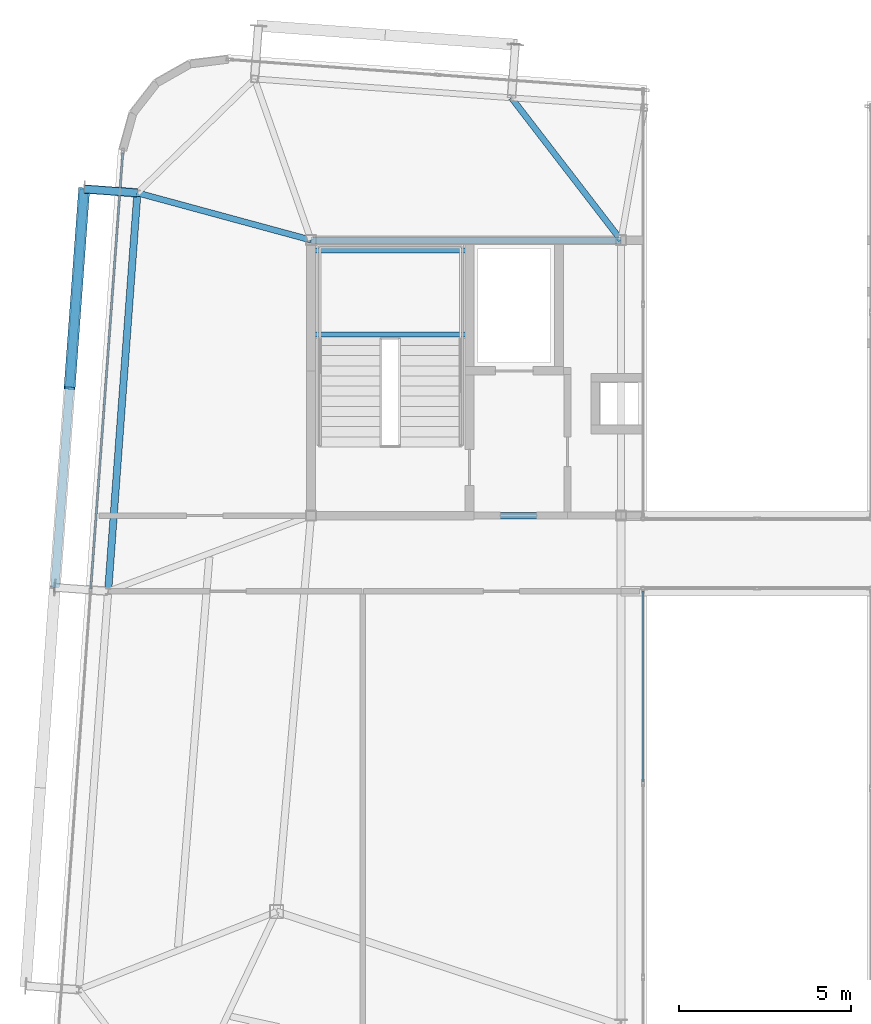
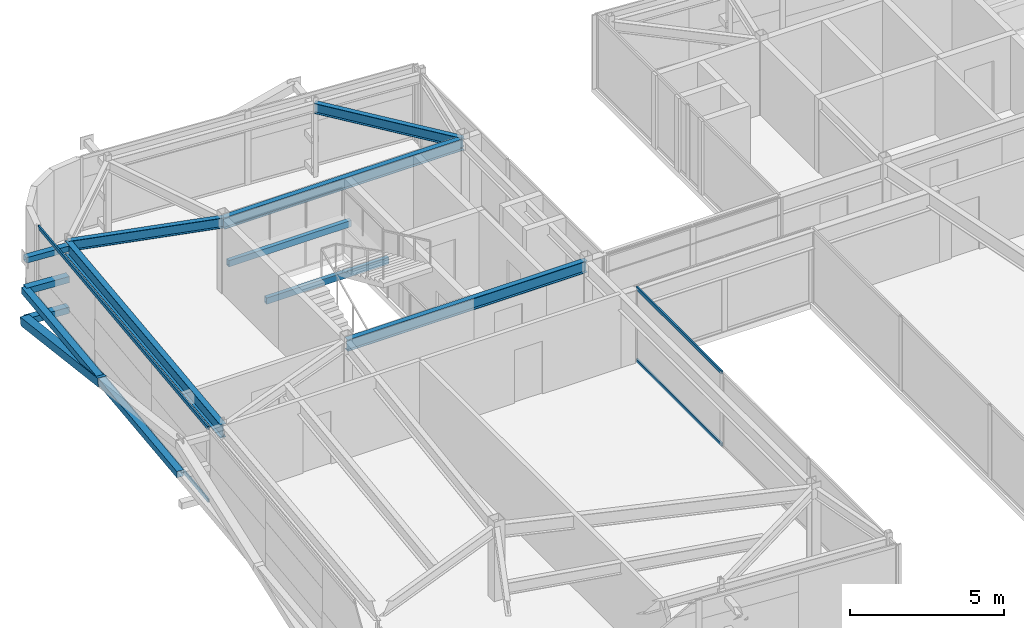
# One storey, part 16 of 39: 9 members, 7 beams, 2 elements without a shape of their own.
"""IFC4 building model written with IfcOpenShell, lengths in metres."""

import ifcopenshell
import ifcopenshell.guid

model = None  # the IFC model being written
_history = None  # IfcOwnerHistory: only IFC2X3 demands one
_inside = {}  # id of a spatial element -> (the spatial element, [elements in it])
_under = {}  # id of a project, library or spatial element -> (it, [spatial elements below it])
_declared = {}  # id of a project -> (the project, [libraries it declares])
_typed = {}  # id of a type object -> (the type object, [elements of that type])
_made_of = {}  # id of a material, layer set ... -> (it, [elements and type objects made of it])


def new_model(schema):
    """Start an empty IFC model of exactly this schema.

    Asked for "IFC4X3", IfcOpenShell would pick the latest addendum, in which some entities
    have other attributes; the version numbers below select the first issue.
    IFC2X3 requires an IfcOwnerHistory on every rooted entity: one is made here for all.
    """
    global model, _history
    if schema == "IFC4X3":
        model = ifcopenshell.file(schema_version=(4, 3, 0, 0))
    else:
        model = ifcopenshell.file(schema=schema)
    _inside.clear()
    _under.clear()
    _declared.clear()
    _typed.clear()
    _made_of.clear()
    _history = None
    if model.schema == "IFC2X3":
        org = make("IfcOrganization", Name="unknown")
        user = make(
            "IfcPersonAndOrganization",
            ThePerson=make("IfcPerson", FamilyName="unknown"),
            TheOrganization=org,
        )
        app = make(
            "IfcApplication",
            ApplicationDeveloper=org,
            Version="unknown",
            ApplicationFullName="unknown",
            ApplicationIdentifier="unknown",
        )
        _history = make(
            "IfcOwnerHistory",
            OwningUser=user,
            OwningApplication=app,
            ChangeAction="ADDED",
            CreationDate=0,
        )
    return model


def make(cls, **values):
    """One entity of the class cls with the attributes given. An attribute that is None is left unset."""
    return model.create_entity(
        cls, **{name: value for name, value in values.items() if value is not None}
    )


def rooted(cls, **values):
    """An entity with a GlobalId (a new one), such as an element, a storey or a relation."""
    return make(cls, GlobalId=ifcopenshell.guid.new(), OwnerHistory=_history, **values)


def si_unit(unit_type, name, prefix=None):
    """IfcSIUnit, for example si_unit("LENGTHUNIT", "METRE", prefix="MILLI")."""
    return make("IfcSIUnit", UnitType=unit_type, Prefix=prefix, Name=name)


def assignment(units):
    """IfcUnitAssignment: the units of a project."""
    return None if units is None else make("IfcUnitAssignment", Units=units)


def point(xyz):
    """IfcCartesianPoint."""
    return None if xyz is None else make("IfcCartesianPoint", Coordinates=xyz)


def direction(xyz):
    """IfcDirection."""
    return None if xyz is None else make("IfcDirection", DirectionRatios=xyz)


def frame(location, z_axis=None, x_axis=None):
    """IfcAxis2Placement3D, a coordinate frame: its origin and axes. An axis left out is left unset."""
    return make(
        "IfcAxis2Placement3D",
        Location=point(location),
        Axis=direction(z_axis),
        RefDirection=direction(x_axis),
    )


def frame_2d(location, x_axis=None):
    """IfcAxis2Placement2D, a coordinate frame in the plane: its origin and x axis."""
    return make(
        "IfcAxis2Placement2D", Location=point(location), RefDirection=direction(x_axis)
    )


def origin():
    """The frame at (0, 0, 0) with its axes left unset."""
    return frame((0.0, 0.0, 0.0))


def origin_2d():
    """The frame at (0, 0) in the plane with its x axis left unset."""
    return frame_2d((0.0, 0.0))


def place(relative_to, where):
    """IfcLocalPlacement: puts the frame where relative to a parent placement (None: the world)."""
    return make(
        "IfcLocalPlacement", PlacementRelTo=relative_to, RelativePlacement=where
    )


def context(
    kind, dimensions, precision=None, world=None, true_north=None, identifier=None
):
    """IfcGeometricRepresentationContext, for example the 3D "Model" context."""
    return make(
        "IfcGeometricRepresentationContext",
        ContextIdentifier=identifier,
        ContextType=kind,
        CoordinateSpaceDimension=dimensions,
        Precision=precision,
        WorldCoordinateSystem=world,
        TrueNorth=true_north,
    )


def subcontext(parent, identifier, kind, view, scale=None):
    """IfcGeometricRepresentationSubContext, for example "Body" below "Model"."""
    return make(
        "IfcGeometricRepresentationSubContext",
        ContextIdentifier=identifier,
        ContextType=kind,
        ParentContext=parent,
        TargetScale=scale,
        TargetView=view,
    )


def project(units=None, contexts=None):
    """IfcProject with its units and contexts."""
    return rooted(
        "IfcProject",
        Name="project",
        RepresentationContexts=contexts,
        UnitsInContext=assignment(units),
    )


def spatial(cls, under=None, at=None, **own):
    """A site, building, storey or space (cls), placed at a placement, below another one or the project."""
    s = rooted(cls, ObjectPlacement=at, **own)
    if under is not None:
        _under.setdefault(under.id(), (under, []))[1].append(s)
    return s


def profile(cls, at=None, kind="AREA", **sizes):
    """A parametric profile (cls). Its sizes go by their IFC names, for example OverallWidth=200.0."""
    return make(cls, ProfileType=kind, Position=at, **sizes)


def hollow_rectangle(**sizes):
    """IfcRectangleHollowProfileDef."""
    return profile("IfcRectangleHollowProfileDef", **sizes)


def i_section(**sizes):
    """IfcIShapeProfileDef."""
    return profile("IfcIShapeProfileDef", **sizes)


def extrude(swept, where, along, depth):
    """IfcExtrudedAreaSolid: the profile swept, set in the frame where, extruded along a direction by depth."""
    return make(
        "IfcExtrudedAreaSolid",
        SweptArea=swept,
        Position=where,
        ExtrudedDirection=direction(along),
        Depth=depth,
    )


def shape(context_of_items, identifier, shape_type, items):
    """IfcShapeRepresentation: the items that make up one representation, for example the "Body"."""
    return make(
        "IfcShapeRepresentation",
        ContextOfItems=context_of_items,
        RepresentationIdentifier=identifier,
        RepresentationType=shape_type,
        Items=items,
    )


def source(mapping_origin, context_of_items, identifier, shape_type, items):
    """IfcRepresentationMap: a shape defined once, which mapped items show again and again."""
    return make(
        "IfcRepresentationMap",
        MappingOrigin=mapping_origin,
        MappedRepresentation=shape(context_of_items, identifier, shape_type, items),
    )


def transform(
    local_origin,
    x_axis=None,
    y_axis=None,
    z_axis=None,
    scale=None,
    scale2=None,
    scale3=None,
    uniform=True,
):
    """IfcCartesianTransformationOperator3D, or its non-uniform kind. x_axis, y_axis, z_axis: its Axis1, 2, 3."""
    if uniform:
        return make(
            "IfcCartesianTransformationOperator3D",
            Axis1=direction(x_axis),
            Axis2=direction(y_axis),
            LocalOrigin=point(local_origin),
            Scale=scale,
            Axis3=direction(z_axis),
        )
    return make(
        "IfcCartesianTransformationOperator3DnonUniform",
        Axis1=direction(x_axis),
        Axis2=direction(y_axis),
        LocalOrigin=point(local_origin),
        Scale=scale,
        Axis3=direction(z_axis),
        Scale2=scale2,
        Scale3=scale3,
    )


def mapped(mapping_source, mapping_target):
    """IfcMappedItem: shows the shape of a source again, moved by a transform."""
    return make(
        "IfcMappedItem", MappingSource=mapping_source, MappingTarget=mapping_target
    )


def material(Name=None, Category=None):
    """IfcMaterial."""
    return make("IfcMaterial", Name=Name, Category=Category)


def layer(
    of_material, thickness, ventilated=None, Name=None, Category=None, Priority=None
):
    """IfcMaterialLayer: one layer of a wall or slab, of a material (None: an air gap)."""
    return make(
        "IfcMaterialLayer",
        Material=of_material,
        LayerThickness=thickness,
        IsVentilated=ventilated,
        Name=Name,
        Category=Category,
        Priority=Priority,
    )


def layer_set(layers, Name=None):
    """IfcMaterialLayerSet."""
    return make("IfcMaterialLayerSet", MaterialLayers=layers, LayerSetName=Name)


def material_profile(
    of_material, cross_section, Name=None, Category=None, Priority=None
):
    """IfcMaterialProfile: a cross section and its material."""
    return make(
        "IfcMaterialProfile",
        Name=Name,
        Material=of_material,
        Profile=cross_section,
        Priority=Priority,
        Category=Category,
    )


def profile_set(profiles, Name=None, composite=None):
    """IfcMaterialProfileSet."""
    return make(
        "IfcMaterialProfileSet",
        Name=Name,
        MaterialProfiles=profiles,
        CompositeProfile=composite,
    )


def made_of(thing, what):
    """Note that an element or type object is made of a material, layer set ...; save() writes the relation."""
    if what is not None:
        _made_of.setdefault(what.id(), (what, []))[1].append(thing)
    return thing


def type_object(cls, material=None, **own):
    """A type object (cls), such as IfcWallType, which elements share."""
    return made_of(rooted(cls, **own), material)


def element(
    cls,
    number,
    at=None,
    inside=None,
    cuts=None,
    type_object=None,
    material=None,
    context=None,
    identifier="Body",
    shape_type=None,
    held_by="IfcProductDefinitionShape",
    body=None,
    shapes=None,
    **own,
):
    """One element of the class cls, such as IfcWall. Its Tag is "e" and its number.

    at: its placement. inside: the storey or other place that contains it. cuts: it is an
    opening in that element (IfcRelVoidsElement). A single representation is given by context,
    identifier, shape_type and body (its items); several are given by shapes. held_by: the class
    of the entity that holds the representations. save() writes the other relations.
    """
    e = rooted(cls, Tag="e%d" % number, ObjectPlacement=at, **own)
    if body is not None:
        shapes = [shape(context, identifier, shape_type, body)]
    if shapes is not None:
        e.Representation = make(held_by, Representations=shapes)
    if inside is not None:
        _inside.setdefault(inside.id(), (inside, []))[1].append(e)
    if cuts is not None:
        rooted(
            "IfcRelVoidsElement", RelatingBuildingElement=cuts, RelatedOpeningElement=e
        )
    if type_object is not None:
        _typed.setdefault(type_object.id(), (type_object, []))[1].append(e)
    return made_of(e, material)


def aggregate(whole, parts):
    """IfcRelAggregates: a whole, such as a stair, and the parts it consists of."""
    return rooted("IfcRelAggregates", RelatingObject=whole, RelatedObjects=parts)


def save(model, path):
    """Write the relations noted so far, then the file.

    IfcRelAggregates (storeys below a building ...), IfcRelContainedInSpatialStructure (elements
    in a storey), IfcRelDefinesByType, IfcRelAssociatesMaterial and IfcRelDeclares: one each for
    every whole, place, type object, material and project.
    """
    for whole, parts in _under.values():
        aggregate(whole, parts)
    for where, things in _inside.values():
        rooted(
            "IfcRelContainedInSpatialStructure",
            RelatedElements=things,
            RelatingStructure=where,
        )
    for kind, things in _typed.values():
        rooted("IfcRelDefinesByType", RelatedObjects=things, RelatingType=kind)
    for what, things in _made_of.values():
        rooted("IfcRelAssociatesMaterial", RelatedObjects=things, RelatingMaterial=what)
    for by, libraries in _declared.values():
        rooted("IfcRelDeclares", RelatingContext=by, RelatedDefinitions=libraries)
    model.write(path)


model = new_model("IFC4")

# Units and contexts
model_context = context("Model", 3, precision=1e-05, world=origin(), true_north=direction((0.0, 1.0)))
body_context = subcontext(model_context, "Body", "Model", "MODEL_VIEW")
ifc_project = project(units=[si_unit("LENGTHUNIT", "METRE"), si_unit("AREAUNIT", "SQUARE_METRE"), si_unit("VOLUMEUNIT", "CUBIC_METRE"), si_unit("PLANEANGLEUNIT", "RADIAN"), si_unit("MASSUNIT", "GRAM", prefix="KILO")], contexts=[model_context])

# Site, building, storey
site_placement = place(None, origin())
site = spatial("IfcSite", under=ifc_project, at=site_placement, CompositionType="ELEMENT")
building_placement = place(site_placement, origin())
building = spatial("IfcBuilding", under=site, at=building_placement, Name="Taldren Reach Tower", CompositionType="ELEMENT")
storey_placement = place(building_placement, frame((0.0, 0.0, 230.300048828125)))
storey = spatial("IfcBuildingStorey", under=building, at=storey_placement, Name="L70", CompositionType="ELEMENT", Elevation=230.300048828125)

# Beams
ifc_material_1 = material(Name="Steel Gr 350 (350PLUS)", Category="steel")
ifc_material_profile_1 = material_profile(ifc_material_1, i_section(OverallWidth=0.19091796875, OverallDepth=0.4599609375, WebThickness=0.010009765625, FlangeThickness=0.01611328125, at=origin_2d()), Name="460UB82.1")
ifc_profile_set_1 = profile_set([ifc_material_profile_1], Name="Steel Gr 350 (350PLUS)")
beam_type_1 = type_object("IfcBeamType", Name="BM-UB460A", PredefinedType="BEAM", material=ifc_profile_set_1)
shared_shape_1 = source(origin(), body_context, "Body", "SweptSolid", [
    extrude(i_section(OverallWidth=0.19091796875, OverallDepth=0.4599609375, WebThickness=0.010009765625, FlangeThickness=0.01611328125, at=origin_2d()), origin(), (0.0, 0.0, 1.0), 9.0),
])
for number, where, z_axis, x_axis, name in (
    (1, (19.0, 24.0, 2.699951171875), (1.0, 0.0, 0.0), (0.0, 1.0, 0.0), "Core-spine girder L70-SP01"),
    (2, (19.0, 32.0, 2.699951171875), (1.0, 0.0, 0.0), (0.0, 1.0, 0.0), "Core-spine girder L70-SP04"),
):
    element("IfcBeam", number, at=place(storey_placement, frame(where, z_axis=z_axis, x_axis=x_axis)), inside=storey, type_object=beam_type_1, Name=name, PredefinedType="BEAM", context=body_context, shape_type="MappedRepresentation", body=[
        mapped(shared_shape_1, transform((0.0, 0.0, 0.0), scale=1.0)),
    ])
ifc_material_profile_2 = material_profile(ifc_material_1, i_section(OverallWidth=0.208984375, OverallDepth=0.528076171875, WebThickness=0.009521484375, FlangeThickness=0.01318359375, at=origin_2d()), Name="530UB82.0")
ifc_profile_set_2 = profile_set([ifc_material_profile_2], Name="Steel Gr 350 (350PLUS)")
beam_type_2 = type_object("IfcBeamType", Name="SP-UB530B", PredefinedType="SPANDREL", material=ifc_profile_set_2)
shared_shape_2 = source(origin(), body_context, "Body", "SweptSolid", [
    extrude(i_section(OverallWidth=0.208984375, OverallDepth=0.528076171875, WebThickness=0.009521484375, FlangeThickness=0.01318359375, at=origin_2d()), origin(), (0.0, 0.0, 1.0), 11.60009765625),
])
beam_1_placement = place(storey_placement, frame((13.958251953125, 33.369140625, 2.666015625), z_axis=(-0.073242167855, -0.997314185625, 0.0), x_axis=(0.997314185625, -0.073242167855, 0.0)))
element("IfcBeam", 3, at=beam_1_placement, inside=storey, type_object=beam_type_2, Name="Perimeter spandrel B5 W3-W2 L70", PredefinedType="SPANDREL", context=body_context, shape_type="MappedRepresentation", body=[
    mapped(shared_shape_2, transform((0.0, 0.0, 0.0), scale=1.0)),
])
ifc_material_profile_3 = material_profile(ifc_material_1, i_section(OverallWidth=0.177978515625, OverallDepth=0.406005859375, WebThickness=0.0078125, FlangeThickness=0.0126953125, at=origin_2d()), Name="410UB59.7")
ifc_profile_set_3 = profile_set([ifc_material_profile_3], Name="Steel Gr 350 (350PLUS)")
beam_type_3 = type_object("IfcBeamType", Name="BM-UB410", PredefinedType="BEAM", material=ifc_profile_set_3)
shared_shape_3 = source(origin(), body_context, "Body", "SweptSolid", [
    extrude(i_section(OverallWidth=0.177978515625, OverallDepth=0.406005859375, WebThickness=0.0078125, FlangeThickness=0.0126953125, at=origin_2d()), origin(), (0.0, 0.0, 1.0), 5.213623046875),
])
beam_2_placement = place(storey_placement, frame((28.0, 32.0, 2.72705078125), z_axis=(-0.61002980411, 0.792378468976, 0.0), x_axis=(-0.792378468976, -0.61002980411, 0.0)))
element("IfcBeam", 4, at=beam_2_placement, inside=storey, type_object=beam_type_3, Name="Primary floor girder B5-N2 L70", PredefinedType="BEAM", context=body_context, shape_type="MappedRepresentation", body=[
    mapped(shared_shape_3, transform((0.0, 0.0, 0.0), scale=1.0)),
])
shared_shape_4 = source(origin(), body_context, "Body", "SweptSolid", [
    extrude(i_section(OverallWidth=0.177978515625, OverallDepth=0.406005859375, WebThickness=0.0078125, FlangeThickness=0.0126953125, at=origin_2d()), origin(), (0.0, 0.0, 1.0), 5.224365234375),
])
beam_3_placement = place(storey_placement, frame((19.0, 32.0, 2.72705078125), z_axis=(-0.965049032336, 0.262069390022, 0.0), x_axis=(-0.262069390022, -0.965049032336, 0.0)))
element("IfcBeam", 5, at=beam_3_placement, inside=storey, type_object=beam_type_3, Name="Primary floor girder B5-W3 L70", PredefinedType="BEAM", context=body_context, shape_type="MappedRepresentation", body=[
    mapped(shared_shape_4, transform((0.0, 0.0, 0.0), scale=1.0)),
])

# Members
ifc_material_2 = material(Name="Steel Gr 450 (C450L0)", Category="steel")
ifc_material_profile_4 = material_profile(ifc_material_2, hollow_rectangle(XDim=0.219970703125, YDim=0.219970703125, WallThickness=0.00830078125, at=origin_2d()), Name="220x220x8.2SHS")
ifc_profile_set_4 = profile_set([ifc_material_profile_4], Name="Steel Gr 450 (C450L0)")
member_type_1 = type_object("IfcMemberType", Name="MB-TIE219", PredefinedType="STRUT", material=ifc_profile_set_4)
shared_shape_5 = source(origin(), body_context, "Body", "SweptSolid", [
    extrude(hollow_rectangle(XDim=0.219970703125, YDim=0.219970703125, WallThickness=0.00830078125, at=origin_2d()), origin(), (0.0, 0.0, 1.0), 1.5458984375),
])
member_1_placement = place(storey_placement, frame((13.9541015625, 33.369384765625, 2.64990234375), z_axis=(-0.997311530447, 0.073278313559, 0.0), x_axis=(-0.073278313559, -0.997311530447, 0.0)))
element("IfcMember", 6, at=member_1_placement, inside=storey, type_object=member_type_1, Name="Exoskeleton diaphragm tie strut B5-W3 L70", PredefinedType="STRUT", context=body_context, shape_type="MappedRepresentation", body=[
    mapped(shared_shape_5, transform((0.0, 0.0, 0.0), scale=1.0)),
])
ifc_material_profile_5 = material_profile(ifc_material_2, hollow_rectangle(XDim=0.324951171875, YDim=0.324951171875, WallThickness=0.0126953125, at=origin_2d()), Name="325x325x12.7SHS")
ifc_profile_set_5 = profile_set([ifc_material_profile_5], Name="Steel Gr 450 (C450L0)")
member_type_2 = type_object("IfcMemberType", Name="MB-BR324", PredefinedType="BRACE", material=ifc_profile_set_5)
shared_shape_6 = source(origin(), body_context, "Body", "SweptSolid", [
    extrude(hollow_rectangle(XDim=0.324951171875, YDim=0.324951171875, WallThickness=0.0126953125, at=origin_2d()), origin(), (0.0, 0.0, 1.0), 5.926025390625),
])
member_2_placement = place(storey_placement, frame((12.412353515625, 33.482666015625, 0.219970703125), z_axis=(-0.071685935393, -0.976123486939, 0.205046494513), x_axis=(0.997314185625, -0.073242167855, 0.0)))
element("IfcMember", 7, at=member_2_placement, inside=storey, type_object=member_type_2, Name="Exoskeleton Diagrid Brace B5-W2 L70", PredefinedType="BRACE", context=body_context, shape_type="MappedRepresentation", body=[
    mapped(shared_shape_6, transform((0.0, 0.0, 0.0), scale=1.0)),
])
ifc_material_3 = material(Name="Steel Gr 350 (C350L0)", Category="steel")
ifc_material_profile_6 = material_profile(ifc_material_3, hollow_rectangle(XDim=0.25, YDim=0.25, WallThickness=0.010009765625, at=origin_2d()), Name="250x250x10.0SHS")
ifc_profile_set_6 = profile_set([ifc_material_profile_6], Name="Steel Gr 350 (C350L0)")
member_type_3 = type_object("IfcMemberType", Name="MB-POST250", PredefinedType="POST", material=ifc_profile_set_6)
shared_shape_7 = source(origin(), body_context, "Body", "SweptSolid", [
    extrude(hollow_rectangle(XDim=0.25, YDim=0.25, WallThickness=0.010009765625, at=origin_2d()), origin(), (0.0, 0.0, 1.0), 11.60009765625),
])
member_3_placement = place(storey_placement, frame((11.562744140625, 21.913818359375, 1.43505859375), z_axis=(0.073242167855, 0.997314185625, 0.0), x_axis=(-0.997314185625, 0.073242167855, 0.0)))
element("IfcMember", 8, at=member_3_placement, inside=storey, type_object=member_type_3, Name="Exoskeleton mid-height ring chord B5-W2 L70", PredefinedType="POST", context=body_context, shape_type="MappedRepresentation", body=[
    mapped(shared_shape_7, transform((0.0, 0.0, 0.0), scale=1.0)),
])
shared_shape_8 = source(origin(), body_context, "Body", "SweptSolid", [
    extrude(hollow_rectangle(XDim=0.25, YDim=0.25, WallThickness=0.010009765625, at=origin_2d()), origin(), (0.0, 0.0, 1.0), 1.5458984375),
])
for number, where, z_axis, x_axis, name in (
    (9, (13.9541015625, 33.369384765625, 0.219970703125), (-0.997311530447, 0.073278313559, 0.0), (-0.073278313559, -0.997311530447, 0.0), "Exoskeleton base diaphragm tie strut B5-W3 L70"),
    (10, (13.9541015625, 33.369384765625, 1.43505859375), (-0.997311530447, 0.073278313559, 0.0), (-0.073278313559, -0.997311530447, 0.0), "Exoskeleton mid-tier diaphragm tie B5-W3 L70"),
):
    element("IfcMember", number, at=place(storey_placement, frame(where, z_axis=z_axis, x_axis=x_axis)), inside=storey, type_object=member_type_3, Name=name, PredefinedType="POST", context=body_context, shape_type="MappedRepresentation", body=[
        mapped(shared_shape_8, transform((0.0, 0.0, 0.0), scale=1.0)),
    ])

# Curtain wall, members
ifc_material_4 = material(Name="Aluminium and Low-E Glass Unitised System", Category="aluminium")
ifc_layer = layer(ifc_material_4, 0.159912109375)
ifc_layer_set = layer_set([ifc_layer], Name="Aluminium and Low-E Glass Unitised System")
curtain_wall_type = type_object("IfcCurtainWallType", Name="CW-SYS-7", PredefinedType="NOTDEFINED", material=ifc_layer_set)
curtain_wall_1_placement = place(storey_placement, origin())
curtain_wall_1 = element("IfcCurtainWall", 11, at=curtain_wall_1_placement, inside=storey, type_object=curtain_wall_type, Name="Unitised curtain wall CW-L70-W", PredefinedType="NOTDEFINED")
ifc_material_5 = material(Name="Anodised Aluminium 6063-T6", Category="aluminium")
ifc_material_profile_7 = material_profile(ifc_material_5, hollow_rectangle(XDim=0.06005859375, YDim=0.135009765625, WallThickness=0.00341796875, at=origin_2d()), Name="ALU-135x60x3.5RHS")
ifc_profile_set_7 = profile_set([ifc_material_profile_7], Name="Anodised Aluminium 6063-T6")
member_type_4 = type_object("IfcMemberType", Name="CW-TRN-150", PredefinedType="USERDEFINED", material=ifc_profile_set_7)
shared_shape_9 = source(origin(), body_context, "Body", "SweptSolid", [
    extrude(hollow_rectangle(XDim=0.06005859375, YDim=0.135009765625, WallThickness=0.00341796875, at=origin_2d()), origin(), (0.0, 0.0, 1.0), 12.6875),
])
member_4_placement = place(storey_placement, frame((13.531982421875, 34.5283203125, 0.030029296875), z_axis=(-0.073237997916, -0.997314491854, 0.0), x_axis=(0.997314491854, -0.073237997916, 0.0)))
member_4 = element("IfcMember", 12, at=member_4_placement, type_object=member_type_4, Name="CW-7 transom 1.1", ObjectType="TRANSOM", PredefinedType="USERDEFINED", context=body_context, shape_type="MappedRepresentation", body=[
    mapped(shared_shape_9, transform((0.0, 0.0, 0.0), scale=1.0)),
])
member_5_placement = place(storey_placement, frame((13.531982421875, 34.5283203125, 2.89990234375), z_axis=(-0.073237997916, -0.997314491854, 0.0), x_axis=(0.997314491854, -0.073237997916, 0.0)))
member_5 = element("IfcMember", 13, at=member_5_placement, type_object=member_type_4, Name="CW-7 transom 1.2", ObjectType="TRANSOM", PredefinedType="USERDEFINED", context=body_context, shape_type="MappedRepresentation", body=[
    mapped(shared_shape_9, transform((0.0, 0.0, 0.0), scale=1.0)),
])
aggregate(curtain_wall_1, [member_4, member_5])

curtain_wall_2_placement = place(storey_placement, origin())
curtain_wall_2 = element("IfcCurtainWall", 14, at=curtain_wall_2_placement, inside=storey, type_object=curtain_wall_type, Name="Unitised curtain wall CW7-L70-PSW", PredefinedType="NOTDEFINED")
shared_shape_10 = source(origin(), body_context, "Body", "SweptSolid", [
    extrude(hollow_rectangle(XDim=0.06005859375, YDim=0.135009765625, WallThickness=0.00341796875, at=origin_2d()), origin(), (0.0, 0.0, 1.0), 5.531005859375),
])
member_6_placement = place(storey_placement, frame((28.639892578125, 16.27392578125, 0.030029296875), z_axis=(0.0, 1.0, 0.0), x_axis=(-1.0, 0.0, 0.0)))
member_6 = element("IfcMember", 15, at=member_6_placement, type_object=member_type_4, Name="CW-7 transom 3.1", ObjectType="TRANSOM", PredefinedType="USERDEFINED", context=body_context, shape_type="MappedRepresentation", body=[
    mapped(shared_shape_10, transform((0.0, 0.0, 0.0), scale=1.0)),
])
member_7_placement = place(storey_placement, frame((28.639892578125, 16.27392578125, 2.89990234375), z_axis=(0.0, 1.0, 0.0), x_axis=(-1.0, 0.0, 0.0)))
member_7 = element("IfcMember", 16, at=member_7_placement, type_object=member_type_4, Name="CW-7 transom 3.2", ObjectType="TRANSOM", PredefinedType="USERDEFINED", context=body_context, shape_type="MappedRepresentation", body=[
    mapped(shared_shape_10, transform((0.0, 0.0, 0.0), scale=1.0)),
])
aggregate(curtain_wall_2, [member_6, member_7])

# Beams
ifc_material_profile_8 = material_profile(ifc_material_3, hollow_rectangle(XDim=0.14990234375, YDim=0.25, WallThickness=0.009033203125, at=origin_2d()), Name="250x150x9.0RHS")
ifc_profile_set_8 = profile_set([ifc_material_profile_8], Name="Steel Gr 350 (C350L0)")
beam_type_4 = type_object("IfcBeamType", Name="LN-RHS250", PredefinedType="LINTEL", material=ifc_profile_set_8)
shared_shape_11 = source(origin(), body_context, "Body", "SweptSolid", [
    extrude(hollow_rectangle(XDim=0.14990234375, YDim=0.25, WallThickness=0.009033203125, at=origin_2d()), origin(), (0.0, 0.0, 1.0), 4.60009765625),
])
for number, where, z_axis, x_axis, name in (
    (17, (19.0, 29.2548828125, 1.27001953125), (1.0, 0.0, 0.0), (0.0, 1.0, 0.0), "Stair half-landing support beam ST1-L70-1"),
    (18, (19.0, 31.699951171875, 1.27001953125), (1.0, 0.0, 0.0), (0.0, 1.0, 0.0), "Stair half-landing support beam ST1-L70-2"),
):
    element("IfcBeam", number, at=place(storey_placement, frame(where, z_axis=z_axis, x_axis=x_axis)), inside=storey, type_object=beam_type_4, Name=name, PredefinedType="LINTEL", context=body_context, shape_type="MappedRepresentation", body=[
        mapped(shared_shape_11, transform((0.0, 0.0, 0.0), scale=1.0)),
    ])

save(model, "model.ifc")
